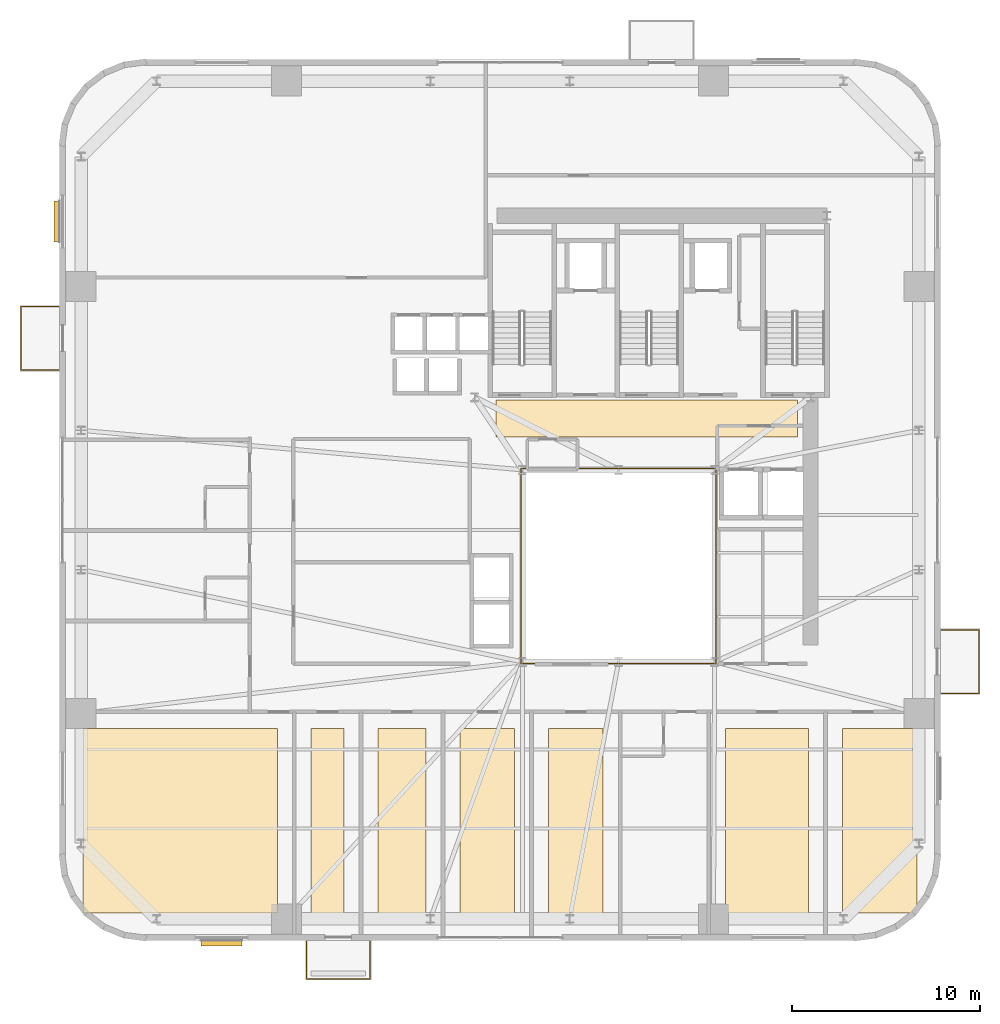
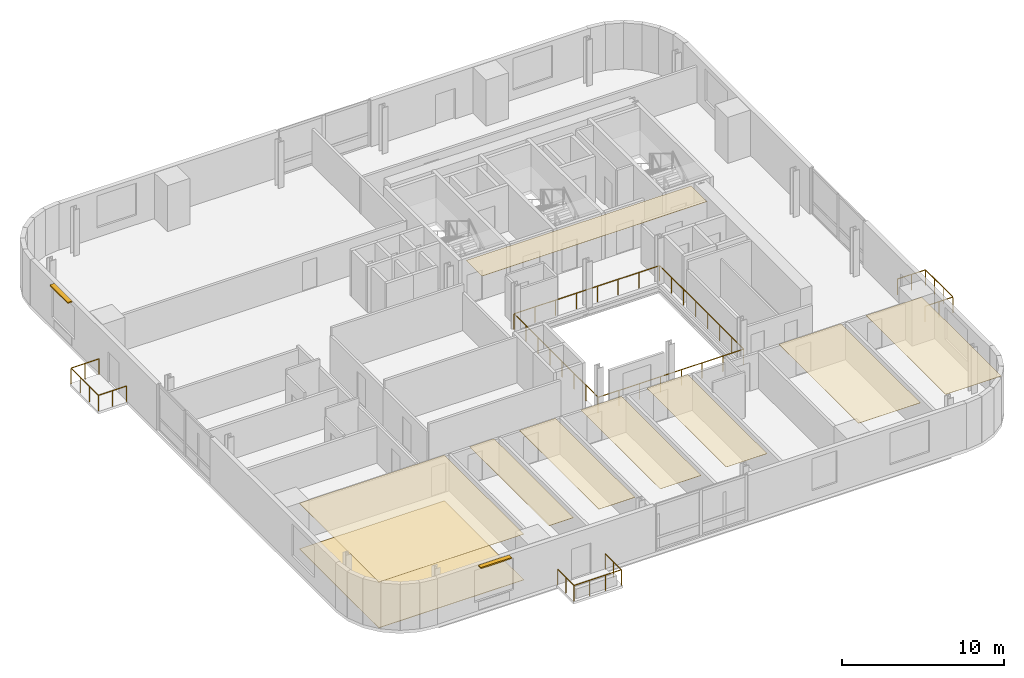
# One storey, part 10 of 11: 9 coverings, 4 railings, 2 shading devices.
"""IFC4 building model written with IfcOpenShell, lengths in metres."""

from ifc_helpers import new_model, si_unit, direction, frame, origin, origin_2d, place, context, subcontext, project, spatial, polyline, rectangle, outline, extrude, source, transform, mapped, material, layer, layer_set, type_object, element, save


model = new_model("IFC4")

# Units and contexts
model_context = context("Model", 3, precision=1e-05, world=origin(), true_north=direction((0.0, 1.0)))
body_context = subcontext(model_context, "Body", "Model", "MODEL_VIEW")
ifc_project = project(units=[si_unit("LENGTHUNIT", "METRE"), si_unit("AREAUNIT", "SQUARE_METRE"), si_unit("VOLUMEUNIT", "CUBIC_METRE"), si_unit("PLANEANGLEUNIT", "RADIAN"), si_unit("MASSUNIT", "GRAM", prefix="KILO")], contexts=[model_context])

# Site, building, storey
site_placement = place(None, origin())
site = spatial("IfcSite", under=ifc_project, at=site_placement, CompositionType="ELEMENT")
building_placement = place(site_placement, origin())
building = spatial("IfcBuilding", under=site, at=building_placement, Name="Vardaveli Station Tower", CompositionType="ELEMENT")
storey_placement = place(building_placement, frame((0.0, 0.0, 155.699951171875)))
storey = spatial("IfcBuildingStorey", under=building, at=storey_placement, Name="L40", CompositionType="ELEMENT", Elevation=155.699951171875)

# Coverings
ifc_material_1 = material(Name="Perforated acoustic mineral ceiling")
ifc_layer_1 = layer(ifc_material_1, 0.02001953125, Name="Perforated acoustic mineral ceiling")
ifc_layer_set_1 = layer_set([ifc_layer_1], Name="Perforated acoustic mineral ceiling")
covering_type_1 = type_object("IfcCoveringType", Name="COV-CEIL-AC20", PredefinedType="CEILING", material=ifc_layer_set_1)
covering_1_placement = place(storey_placement, frame((0.0, 0.0, 3.445068359375)))
element("IfcCovering", 1, at=covering_1_placement, inside=storey, type_object=covering_type_1, Name="CEIL-L40-1", PredefinedType="CEILING", context=body_context, shape_type="SweptSolid", body=[
    extrude(outline(polyline([(7.85009765625, 3.25), (18.169921875, 3.25), (18.169921875, 13.050048828125), (7.85009765625, 13.050048828125), (7.85009765625, 3.25)])), origin(), (0.0, 0.0, 1.0), 0.02001953125),
])
covering_2_placement = place(storey_placement, frame((0.0, 0.0, 3.445068359375)))
element("IfcCovering", 2, at=covering_2_placement, inside=storey, type_object=covering_type_1, Name="CEIL-L40-2", PredefinedType="CEILING", context=body_context, shape_type="SweptSolid", body=[
    extrude(outline(polyline([(19.969970703125, 3.25), (21.71044921875, 3.25), (21.71044921875, 13.050048828125), (19.969970703125, 13.050048828125), (19.969970703125, 3.25)])), origin(), (0.0, 0.0, 1.0), 0.02001953125),
])
covering_3_placement = place(storey_placement, frame((0.0, 0.0, 3.445068359375)))
element("IfcCovering", 3, at=covering_3_placement, inside=storey, type_object=covering_type_1, Name="CEIL-L40-3", PredefinedType="CEILING", context=body_context, shape_type="SweptSolid", body=[
    extrude(outline(polyline([(23.510498046875, 3.25), (26.07568359375, 3.25), (26.07568359375, 13.050048828125), (23.510498046875, 13.050048828125), (23.510498046875, 3.25)])), origin(), (0.0, 0.0, 1.0), 0.02001953125),
])
covering_4_placement = place(storey_placement, frame((0.0, 0.0, 3.445068359375)))
element("IfcCovering", 4, at=covering_4_placement, inside=storey, type_object=covering_type_1, Name="CEIL-L40-4", PredefinedType="CEILING", context=body_context, shape_type="SweptSolid", body=[
    extrude(outline(polyline([(27.875732421875, 3.25), (30.77880859375, 3.25), (30.77880859375, 13.050048828125), (27.875732421875, 13.050048828125), (27.875732421875, 3.25)])), origin(), (0.0, 0.0, 1.0), 0.02001953125),
])
covering_5_placement = place(storey_placement, frame((0.0, 0.0, 3.445068359375)))
element("IfcCovering", 5, at=covering_5_placement, inside=storey, type_object=covering_type_1, Name="CEIL-L40-5", PredefinedType="CEILING", context=body_context, shape_type="SweptSolid", body=[
    extrude(outline(polyline([(32.57861328125, 3.25), (35.481689453125, 3.25), (35.481689453125, 13.050048828125), (32.57861328125, 13.050048828125), (32.57861328125, 3.25)])), origin(), (0.0, 0.0, 1.0), 0.02001953125),
])
covering_6_placement = place(storey_placement, frame((0.0, 0.0, 3.445068359375)))
element("IfcCovering", 6, at=covering_6_placement, inside=storey, type_object=covering_type_1, Name="CEIL-L40-6", PredefinedType="CEILING", context=body_context, shape_type="SweptSolid", body=[
    extrude(outline(polyline([(41.984619140625, 3.25), (46.387451171875, 3.25), (46.387451171875, 13.050048828125), (41.984619140625, 13.050048828125), (41.984619140625, 3.25)])), origin(), (0.0, 0.0, 1.0), 0.02001953125),
])
covering_7_placement = place(storey_placement, frame((0.0, 0.0, 3.445068359375)))
element("IfcCovering", 7, at=covering_7_placement, inside=storey, type_object=covering_type_1, Name="CEIL-L40-7", PredefinedType="CEILING", context=body_context, shape_type="SweptSolid", body=[
    extrude(outline(polyline([(48.1875, 3.25), (52.14990234375, 3.25), (52.14990234375, 13.050048828125), (48.1875, 13.050048828125), (48.1875, 3.25)])), origin(), (0.0, 0.0, 1.0), 0.02001953125),
])
covering_8_placement = place(storey_placement, frame((0.0, 0.0, 3.445068359375)))
element("IfcCovering", 8, at=covering_8_placement, inside=storey, type_object=covering_type_1, Name="CEIL-L40-8", PredefinedType="CEILING", context=body_context, shape_type="SweptSolid", body=[
    extrude(outline(polyline([(29.800048828125, 28.550048828125), (45.800048828125, 28.550048828125), (45.800048828125, 30.5), (29.800048828125, 30.5), (29.800048828125, 28.550048828125)])), origin(), (0.0, 0.0, 1.0), 0.02001953125),
])
ifc_material_2 = material(Name="Honed Caucasian basalt and travertine flooring", Category="masonry")
ifc_layer_2 = layer(ifc_material_2, 0.030029296875, Name="Honed Caucasian basalt and travertine flooring")
ifc_layer_set_2 = layer_set([ifc_layer_2], Name="Honed Caucasian basalt and travertine flooring")
covering_type_2 = type_object("IfcCoveringType", Name="COV-FLOOR-ST30", PredefinedType="FLOORING", material=ifc_layer_set_2)
covering_9_placement = place(storey_placement, origin())
element("IfcCovering", 9, at=covering_9_placement, inside=storey, type_object=covering_type_2, Name="FLR-L40-1", PredefinedType="FLOORING", context=body_context, shape_type="SweptSolid", body=[
    extrude(outline(polyline([(7.85009765625, 3.25), (18.169921875, 3.25), (18.169921875, 13.050048828125), (7.85009765625, 13.050048828125), (7.85009765625, 3.25)])), origin(), (0.0, 0.0, 1.0), 0.030029296875),
])

# Railing
ifc_material_3 = material(Name="Laminated glass and stainless steel balustrade", Category="steel")
railing_type = type_object("IfcRailingType", Name="RL-BAL-1200", PredefinedType="BALUSTRADE", material=ifc_material_3)
shared_shape_1 = source(origin(), body_context, "Body", "SweptSolid", [
    extrude(rectangle(XDim=0.048095703125, YDim=0.048095703125, at=origin_2d()), frame((0.0, 0.0, 1.17578125), z_axis=(0.0, -1.0, 0.0), x_axis=(1.0, 0.0, 0.0)), (0.0, 0.0, 1.0), 2.0),
    extrude(rectangle(XDim=0.048095703125, YDim=0.048095703125, at=origin_2d()), frame((0.0, -2.0, 1.17578125), z_axis=(1.0, 0.0, 0.0), x_axis=(0.0, 1.0, 0.0)), (0.0, 0.0, 1.0), 3.3798828125),
    extrude(rectangle(XDim=0.048095703125, YDim=0.048095703125, at=origin_2d()), frame((3.3798828125, -2.0, 1.17578125), z_axis=(0.0, 1.0, 0.0), x_axis=(-1.0, 0.0, 0.0)), (0.0, 0.0, 1.0), 2.0),
    extrude(rectangle(XDim=0.0419921875, YDim=0.0419921875, at=origin_2d()), origin(), (0.0, 0.0, 1.0), 1.15185546875),
    extrude(rectangle(XDim=0.0419921875, YDim=0.0419921875, at=origin_2d()), frame((0.0, -1.0, 0.0)), (0.0, 0.0, 1.0), 1.15185546875),
    extrude(rectangle(XDim=0.0419921875, YDim=0.0419921875, at=origin_2d()), frame((0.0, -2.0, 0.0)), (0.0, 0.0, 1.0), 1.15185546875),
    extrude(rectangle(XDim=0.0419921875, YDim=0.0419921875, at=origin_2d()), frame((1.126708984375, -2.0, 0.0)), (0.0, 0.0, 1.0), 1.15185546875),
    extrude(rectangle(XDim=0.0419921875, YDim=0.0419921875, at=origin_2d()), frame((2.253173828125, -2.0, 0.0)), (0.0, 0.0, 1.0), 1.15185546875),
    extrude(rectangle(XDim=0.0419921875, YDim=0.0419921875, at=origin_2d()), frame((3.3798828125, -2.0, 0.0)), (0.0, 0.0, 1.0), 1.15185546875),
    extrude(rectangle(XDim=0.0419921875, YDim=0.0419921875, at=origin_2d()), frame((3.3798828125, -1.0, 0.0)), (0.0, 0.0, 1.0), 1.15185546875),
    extrude(rectangle(XDim=0.0419921875, YDim=0.0419921875, at=origin_2d()), frame((3.3798828125, 0.0, 0.0)), (0.0, 0.0, 1.0), 1.15185546875),
])
railing_1_placement = place(storey_placement, frame((19.720458984375, 1.760009765625, 0.0)))
element("IfcRailing", 10, at=railing_1_placement, inside=storey, type_object=railing_type, Name="RL-LOG-L40-01", PredefinedType="BALUSTRADE", context=body_context, shape_type="MappedRepresentation", body=[
    mapped(shared_shape_1, transform((0.0, 0.0, 0.0), scale=1.0)),
])

# Shading devices
ifc_material_4 = material(Name="Anodised champagne aluminium sunshade", Category="aluminium")
ifc_layer_3 = layer(ifc_material_4, 0.090087890625, Name="Anodised champagne aluminium sunshade")
ifc_layer_set_3 = layer_set([ifc_layer_3], Name="Anodised champagne aluminium sunshade")
shading_device_type = type_object("IfcShadingDeviceType", Name="SHD-SUNSHADE", PredefinedType="USERDEFINED", material=ifc_layer_set_3)
shared_shape_2 = source(origin(), body_context, "Body", "SweptSolid", [
    extrude(rectangle(XDim=2.199951171875, YDim=0.320068359375, at=origin_2d()), origin(), (0.0, 0.0, 1.0), 0.090087890625),
])
for number, where, z_axis, x_axis, name in (
    (11, (15.205078125, 1.655029296875, 3.33984375), (0.0, 0.0, 1.0), (1.0, 0.0, 0.0), "SHD-SS-L40-S"),
    (12, (6.455078125, 39.9951171875, 3.33984375), (0.0, 0.0, 1.0), (0.0, 1.0, 0.0), "SHD-SS-L40-W"),
):
    element("IfcShadingDevice", number, at=place(storey_placement, frame(where, z_axis=z_axis, x_axis=x_axis)), inside=storey, type_object=shading_device_type, Name=name, ObjectType="SUNSHADE", PredefinedType="USERDEFINED", context=body_context, shape_type="MappedRepresentation", body=[
        mapped(shared_shape_2, transform((0.0, 0.0, 0.0), scale=1.0)),
    ])

# Railings
shared_shape_3 = source(origin(), body_context, "Body", "SweptSolid", [
    extrude(rectangle(XDim=0.048095703125, YDim=0.048095703125, at=origin_2d()), frame((0.0, 0.0, 1.17578125), z_axis=(1.0, 0.0, 0.0), x_axis=(0.0, 1.0, 0.0)), (0.0, 0.0, 1.0), 2.0),
    extrude(rectangle(XDim=0.048095703125, YDim=0.048095703125, at=origin_2d()), frame((2.0, 0.0, 1.17578125), z_axis=(0.0, 1.0, 0.0), x_axis=(-1.0, 0.0, 0.0)), (0.0, 0.0, 1.0), 3.3798828125),
    extrude(rectangle(XDim=0.048095703125, YDim=0.048095703125, at=origin_2d()), frame((2.0, 3.3798828125, 1.17578125), z_axis=(-1.0, 0.0, 0.0), x_axis=(0.0, -1.0, 0.0)), (0.0, 0.0, 1.0), 2.0),
    extrude(rectangle(XDim=0.0419921875, YDim=0.0419921875, at=origin_2d()), origin(), (0.0, 0.0, 1.0), 1.15185546875),
    extrude(rectangle(XDim=0.0419921875, YDim=0.0419921875, at=origin_2d()), frame((1.0, 0.0, 0.0)), (0.0, 0.0, 1.0), 1.15185546875),
    extrude(rectangle(XDim=0.0419921875, YDim=0.0419921875, at=origin_2d()), frame((2.0, 0.0, 0.0)), (0.0, 0.0, 1.0), 1.15185546875),
    extrude(rectangle(XDim=0.0419921875, YDim=0.0419921875, at=origin_2d()), frame((2.0, 1.126708984375, 0.0)), (0.0, 0.0, 1.0), 1.15185546875),
    extrude(rectangle(XDim=0.0419921875, YDim=0.0419921875, at=origin_2d()), frame((2.0, 2.253173828125, 0.0)), (0.0, 0.0, 1.0), 1.15185546875),
    extrude(rectangle(XDim=0.0419921875, YDim=0.0419921875, at=origin_2d()), frame((2.0, 3.3798828125, 0.0)), (0.0, 0.0, 1.0), 1.15185546875),
    extrude(rectangle(XDim=0.0419921875, YDim=0.0419921875, at=origin_2d()), frame((1.0, 3.3798828125, 0.0)), (0.0, 0.0, 1.0), 1.15185546875),
    extrude(rectangle(XDim=0.0419921875, YDim=0.0419921875, at=origin_2d()), frame((0.0, 3.3798828125, 0.0)), (0.0, 0.0, 1.0), 1.15185546875),
])
railing_2_placement = place(storey_placement, frame((53.43994140625, 14.92041015625, 0.0)))
element("IfcRailing", 13, at=railing_2_placement, inside=storey, type_object=railing_type, Name="RL-LOG-L40-04", PredefinedType="BALUSTRADE", context=body_context, shape_type="MappedRepresentation", body=[
    mapped(shared_shape_3, transform((0.0, 0.0, 0.0), scale=1.0)),
])
shared_shape_4 = source(origin(), body_context, "Body", "SweptSolid", [
    extrude(rectangle(XDim=0.048095703125, YDim=0.048095703125, at=origin_2d()), frame((0.0, 0.0, 1.17578125), z_axis=(-1.0, 0.0, 0.0), x_axis=(0.0, -1.0, 0.0)), (0.0, 0.0, 1.0), 2.0),
    extrude(rectangle(XDim=0.048095703125, YDim=0.048095703125, at=origin_2d()), frame((-2.0, 0.0, 1.17578125), z_axis=(0.0, 1.0, 0.0), x_axis=(-1.0, 0.0, 0.0)), (0.0, 0.0, 1.0), 3.3798828125),
    extrude(rectangle(XDim=0.048095703125, YDim=0.048095703125, at=origin_2d()), frame((-2.0, 3.3798828125, 1.17578125), z_axis=(1.0, 0.0, 0.0), x_axis=(0.0, 1.0, 0.0)), (0.0, 0.0, 1.0), 2.0),
    extrude(rectangle(XDim=0.0419921875, YDim=0.0419921875, at=origin_2d()), origin(), (0.0, 0.0, 1.0), 1.15185546875),
    extrude(rectangle(XDim=0.0419921875, YDim=0.0419921875, at=origin_2d()), frame((-1.0, 0.0, 0.0)), (0.0, 0.0, 1.0), 1.15185546875),
    extrude(rectangle(XDim=0.0419921875, YDim=0.0419921875, at=origin_2d()), frame((-2.0, 0.0, 0.0)), (0.0, 0.0, 1.0), 1.15185546875),
    extrude(rectangle(XDim=0.0419921875, YDim=0.0419921875, at=origin_2d()), frame((-2.0, 1.126708984375, 0.0)), (0.0, 0.0, 1.0), 1.15185546875),
    extrude(rectangle(XDim=0.0419921875, YDim=0.0419921875, at=origin_2d()), frame((-2.0, 2.253173828125, 0.0)), (0.0, 0.0, 1.0), 1.15185546875),
    extrude(rectangle(XDim=0.0419921875, YDim=0.0419921875, at=origin_2d()), frame((-2.0, 3.3798828125, 0.0)), (0.0, 0.0, 1.0), 1.15185546875),
    extrude(rectangle(XDim=0.0419921875, YDim=0.0419921875, at=origin_2d()), frame((-1.0, 3.3798828125, 0.0)), (0.0, 0.0, 1.0), 1.15185546875),
    extrude(rectangle(XDim=0.0419921875, YDim=0.0419921875, at=origin_2d()), frame((0.0, 3.3798828125, 0.0)), (0.0, 0.0, 1.0), 1.15185546875),
])
railing_3_placement = place(storey_placement, frame((6.56005859375, 32.099609375, 0.0)))
element("IfcRailing", 14, at=railing_3_placement, inside=storey, type_object=railing_type, Name="RL-LOG-L40-03", PredefinedType="BALUSTRADE", context=body_context, shape_type="MappedRepresentation", body=[
    mapped(shared_shape_4, transform((0.0, 0.0, 0.0), scale=1.0)),
])
shared_shape_5 = source(origin(), body_context, "Body", "SweptSolid", [
    extrude(rectangle(XDim=0.048095703125, YDim=0.048095703125, at=origin_2d()), frame((0.0, 0.0, 1.17578125), z_axis=(1.0, 0.0, 0.0), x_axis=(0.0, 1.0, 0.0)), (0.0, 0.0, 1.0), 10.35986328125),
    extrude(rectangle(XDim=0.048095703125, YDim=0.048095703125, at=origin_2d()), frame((10.35986328125, 0.0, 1.17578125), z_axis=(0.0, 1.0, 0.0), x_axis=(-1.0, 0.0, 0.0)), (0.0, 0.0, 1.0), 10.35986328125),
    extrude(rectangle(XDim=0.048095703125, YDim=0.048095703125, at=origin_2d()), frame((10.35986328125, 10.35986328125, 1.17578125), z_axis=(-1.0, 0.0, 0.0), x_axis=(0.0, -1.0, 0.0)), (0.0, 0.0, 1.0), 10.35986328125),
    extrude(rectangle(XDim=0.048095703125, YDim=0.048095703125, at=origin_2d()), frame((0.0, 10.35986328125, 1.17578125), z_axis=(0.0, -1.0, 0.0), x_axis=(1.0, 0.0, 0.0)), (0.0, 0.0, 1.0), 10.35986328125),
    extrude(rectangle(XDim=0.0419921875, YDim=0.0419921875, at=origin_2d()), origin(), (0.0, 0.0, 1.0), 1.15185546875),
    extrude(rectangle(XDim=0.0419921875, YDim=0.0419921875, at=origin_2d()), frame((1.47998046875, 0.0, 0.0)), (0.0, 0.0, 1.0), 1.15185546875),
    extrude(rectangle(XDim=0.0419921875, YDim=0.0419921875, at=origin_2d()), frame((2.9599609375, 0.0, 0.0)), (0.0, 0.0, 1.0), 1.15185546875),
    extrude(rectangle(XDim=0.0419921875, YDim=0.0419921875, at=origin_2d()), frame((4.43994140625, 0.0, 0.0)), (0.0, 0.0, 1.0), 1.15185546875),
    extrude(rectangle(XDim=0.0419921875, YDim=0.0419921875, at=origin_2d()), frame((5.919921875, 0.0, 0.0)), (0.0, 0.0, 1.0), 1.15185546875),
    extrude(rectangle(XDim=0.0419921875, YDim=0.0419921875, at=origin_2d()), frame((7.39990234375, 0.0, 0.0)), (0.0, 0.0, 1.0), 1.15185546875),
    extrude(rectangle(XDim=0.0419921875, YDim=0.0419921875, at=origin_2d()), frame((8.8798828125, 0.0, 0.0)), (0.0, 0.0, 1.0), 1.15185546875),
    extrude(rectangle(XDim=0.0419921875, YDim=0.0419921875, at=origin_2d()), frame((10.35986328125, 0.0, 0.0)), (0.0, 0.0, 1.0), 1.15185546875),
    extrude(rectangle(XDim=0.0419921875, YDim=0.0419921875, at=origin_2d()), frame((10.35986328125, 1.47998046875, 0.0)), (0.0, 0.0, 1.0), 1.15185546875),
    extrude(rectangle(XDim=0.0419921875, YDim=0.0419921875, at=origin_2d()), frame((10.35986328125, 2.9599609375, 0.0)), (0.0, 0.0, 1.0), 1.15185546875),
    extrude(rectangle(XDim=0.0419921875, YDim=0.0419921875, at=origin_2d()), frame((10.35986328125, 4.43994140625, 0.0)), (0.0, 0.0, 1.0), 1.15185546875),
    extrude(rectangle(XDim=0.0419921875, YDim=0.0419921875, at=origin_2d()), frame((10.35986328125, 5.919921875, 0.0)), (0.0, 0.0, 1.0), 1.15185546875),
    extrude(rectangle(XDim=0.0419921875, YDim=0.0419921875, at=origin_2d()), frame((10.35986328125, 7.39990234375, 0.0)), (0.0, 0.0, 1.0), 1.15185546875),
    extrude(rectangle(XDim=0.0419921875, YDim=0.0419921875, at=origin_2d()), frame((10.35986328125, 8.8798828125, 0.0)), (0.0, 0.0, 1.0), 1.15185546875),
    extrude(rectangle(XDim=0.0419921875, YDim=0.0419921875, at=origin_2d()), frame((10.35986328125, 10.35986328125, 0.0)), (0.0, 0.0, 1.0), 1.15185546875),
    extrude(rectangle(XDim=0.0419921875, YDim=0.0419921875, at=origin_2d()), frame((8.8798828125, 10.35986328125, 0.0)), (0.0, 0.0, 1.0), 1.15185546875),
    extrude(rectangle(XDim=0.0419921875, YDim=0.0419921875, at=origin_2d()), frame((7.39990234375, 10.35986328125, 0.0)), (0.0, 0.0, 1.0), 1.15185546875),
    extrude(rectangle(XDim=0.0419921875, YDim=0.0419921875, at=origin_2d()), frame((5.919921875, 10.35986328125, 0.0)), (0.0, 0.0, 1.0), 1.15185546875),
    extrude(rectangle(XDim=0.0419921875, YDim=0.0419921875, at=origin_2d()), frame((4.43994140625, 10.35986328125, 0.0)), (0.0, 0.0, 1.0), 1.15185546875),
    extrude(rectangle(XDim=0.0419921875, YDim=0.0419921875, at=origin_2d()), frame((2.9599609375, 10.35986328125, 0.0)), (0.0, 0.0, 1.0), 1.15185546875),
    extrude(rectangle(XDim=0.0419921875, YDim=0.0419921875, at=origin_2d()), frame((1.47998046875, 10.35986328125, 0.0)), (0.0, 0.0, 1.0), 1.15185546875),
    extrude(rectangle(XDim=0.0419921875, YDim=0.0419921875, at=origin_2d()), frame((0.0, 10.35986328125, 0.0)), (0.0, 0.0, 1.0), 1.15185546875),
    extrude(rectangle(XDim=0.0419921875, YDim=0.0419921875, at=origin_2d()), frame((0.0, 8.8798828125, 0.0)), (0.0, 0.0, 1.0), 1.15185546875),
    extrude(rectangle(XDim=0.0419921875, YDim=0.0419921875, at=origin_2d()), frame((0.0, 7.39990234375, 0.0)), (0.0, 0.0, 1.0), 1.15185546875),
    extrude(rectangle(XDim=0.0419921875, YDim=0.0419921875, at=origin_2d()), frame((0.0, 5.919921875, 0.0)), (0.0, 0.0, 1.0), 1.15185546875),
    extrude(rectangle(XDim=0.0419921875, YDim=0.0419921875, at=origin_2d()), frame((0.0, 4.43994140625, 0.0)), (0.0, 0.0, 1.0), 1.15185546875),
    extrude(rectangle(XDim=0.0419921875, YDim=0.0419921875, at=origin_2d()), frame((0.0, 2.9599609375, 0.0)), (0.0, 0.0, 1.0), 1.15185546875),
    extrude(rectangle(XDim=0.0419921875, YDim=0.0419921875, at=origin_2d()), frame((0.0, 1.47998046875, 0.0)), (0.0, 0.0, 1.0), 1.15185546875),
])
railing_4_placement = place(storey_placement, frame((31.1201171875, 16.52001953125, 0.0)))
element("IfcRailing", 15, at=railing_4_placement, inside=storey, type_object=railing_type, Name="RL-ATR-L40", PredefinedType="BALUSTRADE", context=body_context, shape_type="MappedRepresentation", body=[
    mapped(shared_shape_5, transform((0.0, 0.0, 0.0), scale=1.0)),
])

save(model, "model.ifc")
